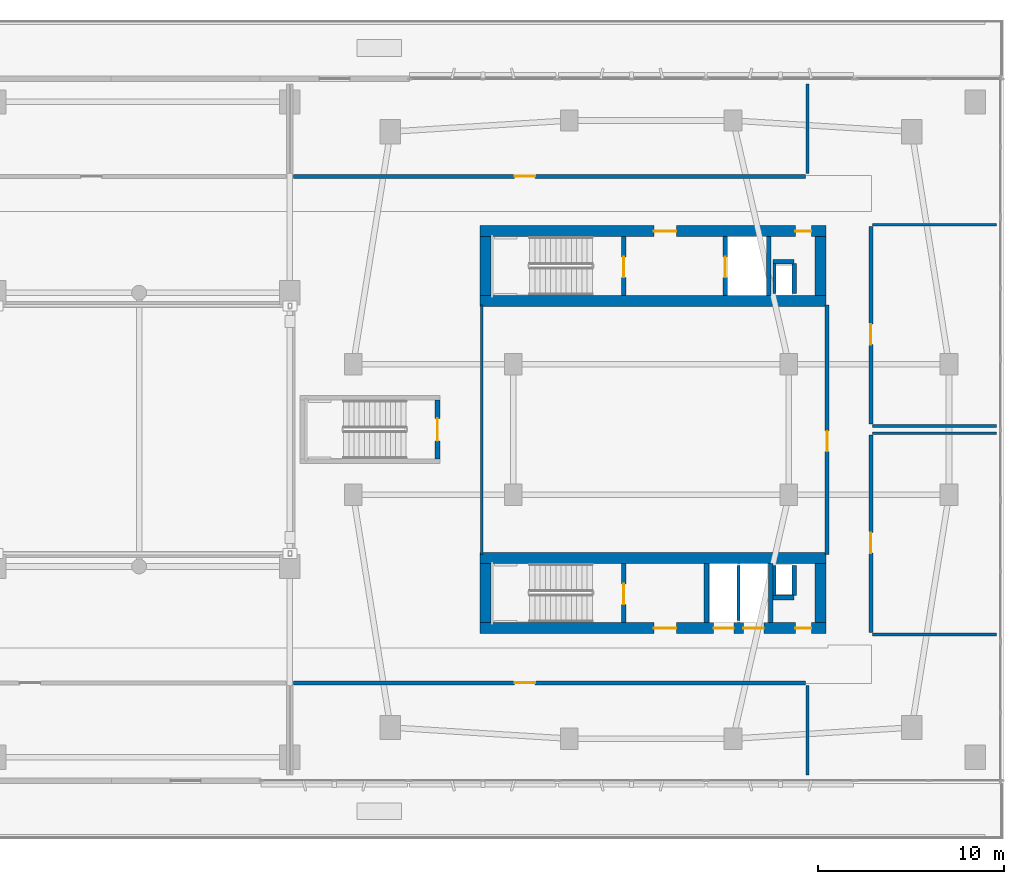
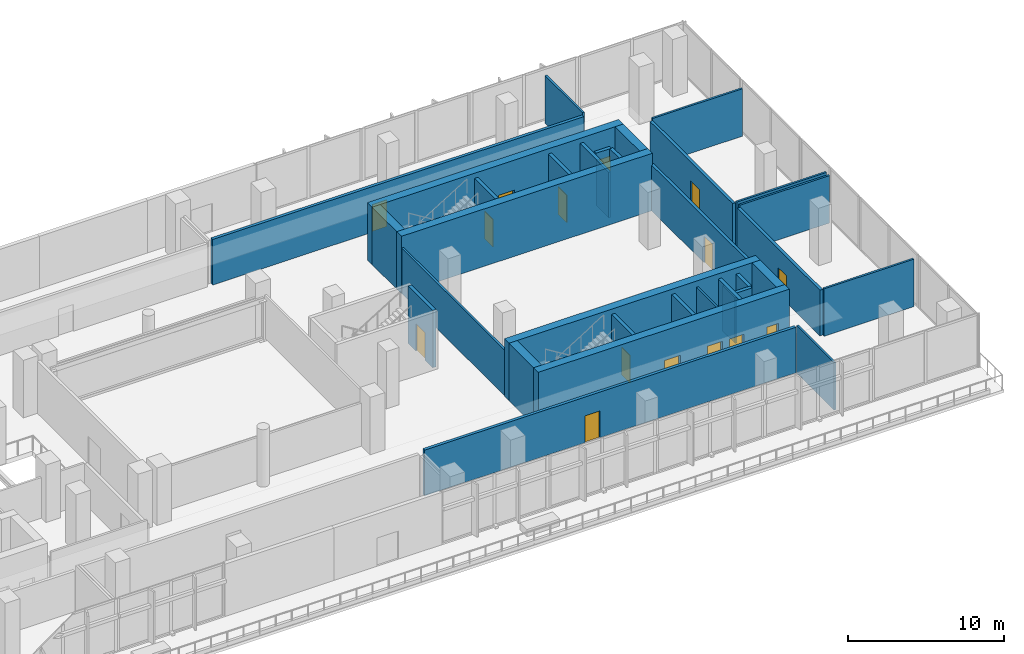
# One storey, part 17 of 31: 34 walls, 15 doors, 15 openings.
"""IFC4 building model written with IfcOpenShell, lengths in metres."""

from ifc_helpers import new_model, si_unit, derived_unit, direction, frame, frame_2d, origin, place, context, subcontext, project, spatial, rectangle, extrude, material, layer, layer_set, type_object, element, fill, save


model = new_model("IFC4")

# Units and contexts
model_context = context("Model", 3, precision=1e-05, world=origin(), true_north=direction((0.0, 1.0)))
body_context = subcontext(model_context, "Body", "Model", "MODEL_VIEW")
ifc_project = project(units=[si_unit("LENGTHUNIT", "METRE"), si_unit("AREAUNIT", "SQUARE_METRE"), si_unit("VOLUMEUNIT", "CUBIC_METRE"), si_unit("PLANEANGLEUNIT", "RADIAN"), si_unit("MASSUNIT", "GRAM", prefix="KILO"), derived_unit("THERMALTRANSMITTANCEUNIT", [(si_unit("POWERUNIT", "WATT"), 1), (si_unit("LENGTHUNIT", "METRE"), -2), (si_unit("THERMODYNAMICTEMPERATUREUNIT", "KELVIN"), -1)])], contexts=[model_context])

# Site, building, storey
site_placement = place(None, origin())
site = spatial("IfcSite", under=ifc_project, at=site_placement, CompositionType="ELEMENT")
building_placement = place(site_placement, origin())
building = spatial("IfcBuilding", under=site, at=building_placement, Name="Kivonza Crest Hotel", CompositionType="ELEMENT")
storey_placement = place(building_placement, frame((0.0, 0.0, 15.0)))
storey = spatial("IfcBuildingStorey", under=building, at=storey_placement, Name="L03", CompositionType="ELEMENT", Elevation=15.0)

# Wall, opening, door
ifc_material_1 = material(Name="Autoclaved aerated concrete blockwork", Category="masonry")
ifc_layer_1 = layer(ifc_material_1, 0.219970703125)
ifc_layer_set_1 = layer_set([ifc_layer_1], Name="Autoclaved aerated concrete blockwork")
wall_type_1 = type_object("IfcWallType", Name="WL-ACOU-220", PredefinedType="SOLIDWALL", material=ifc_layer_set_1)
wall_1_placement = place(storey_placement, frame((57.800048828125, 11.39990234375, 0.0), z_axis=(0.0, 0.0, 1.0), x_axis=(1.0, 0.0, 0.0)))
wall_1 = element("IfcWall", 1, at=wall_1_placement, inside=storey, type_object=wall_type_1, Name="L03 interior partition WA-L03-BRK-LNG2-N", PredefinedType="SOLIDWALL", context=body_context, shape_type="SweptSolid", body=[
    extrude(rectangle(XDim=27.5, YDim=0.219970703125, at=frame_2d((13.75, 0.0))), origin(), (0.0, 0.0, 1.0), 3.574951171875),
])
opening_1_placement = place(wall_1_placement, frame((11.8701171875, 0.0, 0.0)))
opening_1 = element("IfcOpeningElement", 2, at=opening_1_placement, cuts=wall_1, Name="Opening DF-60M", PredefinedType="OPENING", context=body_context, shape_type="SweptSolid", body=[
    extrude(rectangle(XDim=1.10009765625, YDim=2.10009765625, at=frame_2d((0.550048828125, 1.050048828125))), frame((0.0, 0.1201171875, 0.0), z_axis=(0.0, -1.0, 0.0), x_axis=(1.0, 0.0, 0.0)), (0.0, 0.0, 1.0), 0.239990234375),
])
ifc_material_2 = material(Name="Hardwood timber oak", Category="wood")
door_type_1 = type_object("IfcDoorType", Name="DR-FD60-1100", OperationType="NOTDEFINED", PredefinedType="DOOR", material=ifc_material_2)
door_1_placement = place(opening_1_placement, frame((1.10009765625, 0.0, 0.0), z_axis=(0.0, 0.0, 1.0), x_axis=(-1.0, 0.0, 0.0)))
door_1 = element("IfcDoor", 3, at=door_1_placement, inside=storey, type_object=door_type_1, Name="L03 Conference Breakout East door", OperationType="SINGLE_SWING_LEFT", OverallHeight=2.10009765625, OverallWidth=1.10009765625, PredefinedType="DOOR", context=body_context, shape_type="SweptSolid", body=[
    extrude(rectangle(XDim=1.10009765625, YDim=2.10009765625, at=frame_2d((0.550048828125, 1.050048828125))), frame((0.0, 0.02490234375, 0.0), z_axis=(0.0, -1.0, 0.0), x_axis=(1.0, 0.0, 0.0)), (0.0, 0.0, 1.0), 0.050048828125),
])
fill(opening_1, door_1)

wall_2_placement = place(storey_placement, frame((86.449951171875, 18.300048828125, 0.0), z_axis=(0.0, 0.0, 1.0), x_axis=(0.0, 1.0, 0.0)))
wall_2 = element("IfcWall", 4, at=wall_2_placement, inside=storey, type_object=wall_type_1, Name="L03 interior partition WA-L03-RES-LIB-E", PredefinedType="SOLIDWALL", context=body_context, shape_type="SweptSolid", body=[
    extrude(rectangle(XDim=13.39990234375, YDim=0.219970703125, at=frame_2d((6.699951171875, 0.0))), origin(), (0.0, 0.0, 1.0), 3.574951171875),
])
opening_2_placement = place(wall_2_placement, frame((5.52490234375, 0.0, 0.0)))
opening_2 = element("IfcOpeningElement", 5, at=opening_2_placement, cuts=wall_2, Name="Opening DF-60M", PredefinedType="OPENING", context=body_context, shape_type="SweptSolid", body=[
    extrude(rectangle(XDim=1.10009765625, YDim=2.10009765625, at=frame_2d((0.550048828125, 1.050048828125))), frame((0.0, 0.1201171875, 0.0), z_axis=(0.0, -1.0, 0.0), x_axis=(1.0, 0.0, 0.0)), (0.0, 0.0, 1.0), 0.239990234375),
])
door_2_placement = place(opening_2_placement, origin())
door_2 = element("IfcDoor", 6, at=door_2_placement, inside=storey, type_object=door_type_1, Name="L03 Resident Library and Media Room door", OperationType="SINGLE_SWING_LEFT", OverallHeight=2.10009765625, OverallWidth=1.10009765625, PredefinedType="DOOR", context=body_context, shape_type="SweptSolid", body=[
    extrude(rectangle(XDim=1.10009765625, YDim=2.10009765625, at=frame_2d((0.550048828125, 1.050048828125))), frame((0.0, 0.02490234375, 0.0), z_axis=(0.0, -1.0, 0.0), x_axis=(1.0, 0.0, 0.0)), (0.0, 0.0, 1.0), 0.050048828125),
])
fill(opening_2, door_2)

wall_3_placement = place(storey_placement, frame((57.800048828125, 38.60009765625, 0.0), z_axis=(0.0, 0.0, 1.0), x_axis=(1.0, 0.0, 0.0)))
wall_3 = element("IfcWall", 7, at=wall_3_placement, inside=storey, type_object=wall_type_1, Name="L03 interior partition WA-L03-NTH-CNF2-S", PredefinedType="SOLIDWALL", context=body_context, shape_type="SweptSolid", body=[
    extrude(rectangle(XDim=27.5, YDim=0.219970703125, at=frame_2d((13.75, 0.0))), origin(), (0.0, 0.0, 1.0), 3.574951171875),
])
opening_3_placement = place(wall_3_placement, frame((11.8701171875, 0.0, 0.0)))
opening_3 = element("IfcOpeningElement", 8, at=opening_3_placement, cuts=wall_3, Name="Opening DF-60M", PredefinedType="OPENING", context=body_context, shape_type="SweptSolid", body=[
    extrude(rectangle(XDim=1.10009765625, YDim=2.10009765625, at=frame_2d((0.550048828125, 1.050048828125))), frame((0.0, 0.1201171875, 0.0), z_axis=(0.0, -1.0, 0.0), x_axis=(1.0, 0.0, 0.0)), (0.0, 0.0, 1.0), 0.239990234375),
])
door_3_placement = place(opening_3_placement, origin())
door_3 = element("IfcDoor", 9, at=door_3_placement, inside=storey, type_object=door_type_1, Name="L03 North Conference East door", OperationType="SINGLE_SWING_LEFT", OverallHeight=2.10009765625, OverallWidth=1.10009765625, PredefinedType="DOOR", context=body_context, shape_type="SweptSolid", body=[
    extrude(rectangle(XDim=1.10009765625, YDim=2.10009765625, at=frame_2d((0.550048828125, 1.050048828125))), frame((0.0, 0.02490234375, 0.0), z_axis=(0.0, -1.0, 0.0), x_axis=(1.0, 0.0, 0.0)), (0.0, 0.0, 1.0), 0.050048828125),
])
fill(opening_3, door_3)

wall_4_placement = place(storey_placement, frame((88.800048828125, 14.10009765625, 0.0), z_axis=(0.0, 0.0, 1.0), x_axis=(0.0, 1.0, 0.0)))
wall_4 = element("IfcWall", 10, at=wall_4_placement, inside=storey, type_object=wall_type_1, Name="L03 interior partition WA-L03-E-SEM3S-W", PredefinedType="SOLIDWALL", context=body_context, shape_type="SweptSolid", body=[
    extrude(rectangle(XDim=10.599853515625, YDim=0.219970703125, at=frame_2d((5.2998046875, 0.0))), origin(), (0.0, 0.0, 1.0), 3.574951171875),
])
opening_4_placement = place(wall_4_placement, frame((4.264892578125, 0.0, 0.0)))
opening_4 = element("IfcOpeningElement", 11, at=opening_4_placement, cuts=wall_4, Name="Opening DF-60M", PredefinedType="OPENING", context=body_context, shape_type="SweptSolid", body=[
    extrude(rectangle(XDim=1.10009765625, YDim=2.10009765625, at=frame_2d((0.550048828125, 1.050048828125))), frame((0.0, 0.1201171875, 0.0), z_axis=(0.0, -1.0, 0.0), x_axis=(1.0, 0.0, 0.0)), (0.0, 0.0, 1.0), 0.239990234375),
])
door_4_placement = place(opening_4_placement, frame((1.10009765625, 0.0, 0.0), z_axis=(0.0, 0.0, 1.0), x_axis=(-1.0, 0.0, 0.0)))
door_4 = element("IfcDoor", 12, at=door_4_placement, inside=storey, type_object=door_type_1, Name="L03 East Resident Study Salon door", OperationType="SINGLE_SWING_RIGHT", OverallHeight=2.10009765625, OverallWidth=1.10009765625, PredefinedType="DOOR", context=body_context, shape_type="SweptSolid", body=[
    extrude(rectangle(XDim=1.10009765625, YDim=2.10009765625, at=frame_2d((0.550048828125, 1.050048828125))), frame((0.0, 0.02490234375, 0.0), z_axis=(0.0, -1.0, 0.0), x_axis=(1.0, 0.0, 0.0)), (0.0, 0.0, 1.0), 0.050048828125),
])
fill(opening_4, door_4)

wall_5_placement = place(storey_placement, frame((88.800048828125, 25.300048828125, 0.0), z_axis=(0.0, 0.0, 1.0), x_axis=(0.0, 1.0, 0.0)))
wall_5 = element("IfcWall", 13, at=wall_5_placement, inside=storey, type_object=wall_type_1, Name="L03 interior partition WA-L03-E-SEM3N-W", PredefinedType="SOLIDWALL", context=body_context, shape_type="SweptSolid", body=[
    extrude(rectangle(XDim=10.599853515625, YDim=0.219970703125, at=frame_2d((5.2998046875, 0.0))), origin(), (0.0, 0.0, 1.0), 3.574951171875),
])
opening_5_placement = place(wall_5_placement, frame((4.264892578125, 0.0, 0.0)))
opening_5 = element("IfcOpeningElement", 14, at=opening_5_placement, cuts=wall_5, Name="Opening DF-60M", PredefinedType="OPENING", context=body_context, shape_type="SweptSolid", body=[
    extrude(rectangle(XDim=1.10009765625, YDim=2.10009765625, at=frame_2d((0.550048828125, 1.050048828125))), frame((0.0, 0.1201171875, 0.0), z_axis=(0.0, -1.0, 0.0), x_axis=(1.0, 0.0, 0.0)), (0.0, 0.0, 1.0), 0.239990234375),
])
door_5_placement = place(opening_5_placement, frame((1.10009765625, 0.0, 0.0), z_axis=(0.0, 0.0, 1.0), x_axis=(-1.0, 0.0, 0.0)))
door_5 = element("IfcDoor", 15, at=door_5_placement, inside=storey, type_object=door_type_1, Name="L03 East Resident Music Salon door", OperationType="SINGLE_SWING_LEFT", OverallHeight=2.10009765625, OverallWidth=1.10009765625, PredefinedType="DOOR", context=body_context, shape_type="SweptSolid", body=[
    extrude(rectangle(XDim=1.10009765625, YDim=2.10009765625, at=frame_2d((0.550048828125, 1.050048828125))), frame((0.0, 0.02490234375, 0.0), z_axis=(0.0, -1.0, 0.0), x_axis=(1.0, 0.0, 0.0)), (0.0, 0.0, 1.0), 0.050048828125),
])
fill(opening_5, door_5)

# Wall
ifc_material_3 = material(Name="Concrete C60/75", Category="concrete")
ifc_layer_2 = layer(ifc_material_3, 0.60009765625)
ifc_layer_set_2 = layer_set([ifc_layer_2], Name="Concrete C60/75")
wall_type_2 = type_object("IfcWallType", Name="WL-CORE-600", PredefinedType="SHEAR", material=ifc_layer_set_2)
wall_6_placement = place(storey_placement, frame((67.800048828125, 31.89990234375, 0.0), z_axis=(0.0, 0.0, 1.0), x_axis=(1.0, 0.0, 0.0)))
element("IfcWall", 16, at=wall_6_placement, inside=storey, type_object=wall_type_2, Name="Core wall T2-N South L03", PredefinedType="SHEAR", context=body_context, shape_type="SweptSolid", body=[
    extrude(rectangle(XDim=18.599853515625, YDim=0.60009765625, at=frame_2d((9.2998046875, 0.0))), origin(), (0.0, 0.0, 1.0), 4.5),
])

# Wall, openings, doors
wall_7_placement = place(storey_placement, frame((67.800048828125, 35.659912109375, 0.0), z_axis=(0.0, 0.0, 1.0), x_axis=(1.0, 0.0, 0.0)))
wall_7 = element("IfcWall", 17, at=wall_7_placement, inside=storey, type_object=wall_type_2, Name="Core wall T2-N North L03", PredefinedType="SHEAR", context=body_context, shape_type="SweptSolid", body=[
    extrude(rectangle(XDim=18.599853515625, YDim=0.60009765625, at=frame_2d((9.2998046875, 0.0))), origin(), (0.0, 0.0, 1.0), 4.5),
])
opening_6_placement = place(wall_7_placement, frame((9.35009765625, 0.0, 0.0)))
opening_6 = element("IfcOpeningElement", 18, at=opening_6_placement, cuts=wall_7, Name="Opening DF-60", PredefinedType="OPENING", context=body_context, shape_type="SweptSolid", body=[
    extrude(rectangle(XDim=1.199951171875, YDim=2.14990234375, at=frame_2d((0.60009765625, 1.074951171875))), frame((0.0, 0.31005859375, 0.0), z_axis=(0.0, -1.0, 0.0), x_axis=(1.0, 0.0, 0.0)), (0.0, 0.0, 1.0), 0.6201171875),
])
opening_7_placement = place(wall_7_placement, frame((16.949951171875, 0.0, 0.0)))
opening_7 = element("IfcOpeningElement", 19, at=opening_7_placement, cuts=wall_7, Name="Opening DF-60R", PredefinedType="OPENING", context=body_context, shape_type="SweptSolid", body=[
    extrude(rectangle(XDim=0.85009765625, YDim=2.10009765625, at=frame_2d((0.425048828125, 1.050048828125))), frame((0.0, 0.31005859375, 0.0), z_axis=(0.0, -1.0, 0.0), x_axis=(1.0, 0.0, 0.0)), (0.0, 0.0, 1.0), 0.6201171875),
])
door_type_2 = type_object("IfcDoorType", Name="DR-FD60-1200", OperationType="NOTDEFINED", PredefinedType="DOOR", material=ifc_material_2)
door_6_placement = place(opening_6_placement, origin())
door_6 = element("IfcDoor", 20, at=door_6_placement, inside=storey, type_object=door_type_2, Name="L03 T2-N firefighting lobby fire door", OperationType="SINGLE_SWING_RIGHT", OverallHeight=2.14990234375, OverallWidth=1.199951171875, PredefinedType="DOOR", context=body_context, shape_type="SweptSolid", body=[
    extrude(rectangle(XDim=1.199951171875, YDim=2.14990234375, at=frame_2d((0.60009765625, 1.074951171875))), frame((0.0, 0.02490234375, 0.0), z_axis=(0.0, -1.0, 0.0), x_axis=(1.0, 0.0, 0.0)), (0.0, 0.0, 1.0), 0.050048828125),
])
fill(opening_6, door_6)
door_type_3 = type_object("IfcDoorType", Name="DR-FD60-850", OperationType="NOTDEFINED", PredefinedType="DOOR", material=ifc_material_2)
door_7_placement = place(opening_7_placement, origin())
door_7 = element("IfcDoor", 21, at=door_7_placement, inside=storey, type_object=door_type_3, Name="L03 T2-N core room door", OperationType="SINGLE_SWING_RIGHT", OverallHeight=2.10009765625, OverallWidth=0.85009765625, PredefinedType="DOOR", context=body_context, shape_type="SweptSolid", body=[
    extrude(rectangle(XDim=0.85009765625, YDim=2.10009765625, at=frame_2d((0.425048828125, 1.050048828125))), frame((0.0, 0.02490234375, 0.0), z_axis=(0.0, -1.0, 0.0), x_axis=(1.0, 0.0, 0.0)), (0.0, 0.0, 1.0), 0.050048828125),
])
fill(opening_7, door_7)

# Walls
for number, where, z_axis, x_axis, name in (
    (22, (68.10009765625, 32.199951171875, 0.0), (0.0, 0.0, 1.0), (0.0, 1.0, 0.0), "Core wall T2-N West L03"),
    (23, (86.10009765625, 32.199951171875, 0.0), (0.0, 0.0, 1.0), (0.0, 1.0, 0.0), "Core wall T2-N East L03"),
):
    element("IfcWall", number, at=place(storey_placement, frame(where, z_axis=z_axis, x_axis=x_axis)), inside=storey, type_object=wall_type_2, Name=name, PredefinedType="SHEAR", context=body_context, shape_type="SweptSolid", body=[
        extrude(rectangle(XDim=3.16015625, YDim=0.60009765625, at=frame_2d((1.580078125, 0.0))), origin(), (0.0, 0.0, 1.0), 4.5),
    ])

# Wall, openings, doors
wall_8_placement = place(storey_placement, frame((67.800048828125, 14.340087890625, 0.0), z_axis=(0.0, 0.0, 1.0), x_axis=(1.0, 0.0, 0.0)))
wall_8 = element("IfcWall", 24, at=wall_8_placement, inside=storey, type_object=wall_type_2, Name="Core wall T2-S South L03", PredefinedType="SHEAR", context=body_context, shape_type="SweptSolid", body=[
    extrude(rectangle(XDim=18.599853515625, YDim=0.60009765625, at=frame_2d((9.2998046875, 0.0))), origin(), (0.0, 0.0, 1.0), 4.5),
])
opening_8_placement = place(wall_8_placement, frame((9.35009765625, 0.0, 0.0)))
opening_8 = element("IfcOpeningElement", 25, at=opening_8_placement, cuts=wall_8, Name="Opening DF-60", PredefinedType="OPENING", context=body_context, shape_type="SweptSolid", body=[
    extrude(rectangle(XDim=1.199951171875, YDim=2.14990234375, at=frame_2d((0.60009765625, 1.074951171875))), frame((0.0, 0.31005859375, 0.0), z_axis=(0.0, -1.0, 0.0), x_axis=(1.0, 0.0, 0.0)), (0.0, 0.0, 1.0), 0.6201171875),
])
opening_9_placement = place(wall_8_placement, frame((16.949951171875, 0.0, 0.0)))
opening_9 = element("IfcOpeningElement", 26, at=opening_9_placement, cuts=wall_8, Name="Opening DF-60R", PredefinedType="OPENING", context=body_context, shape_type="SweptSolid", body=[
    extrude(rectangle(XDim=0.85009765625, YDim=2.10009765625, at=frame_2d((0.425048828125, 1.050048828125))), frame((0.0, 0.31005859375, 0.0), z_axis=(0.0, -1.0, 0.0), x_axis=(1.0, 0.0, 0.0)), (0.0, 0.0, 1.0), 0.6201171875),
])
opening_10_placement = place(wall_8_placement, frame((12.550048828125, 0.0, 0.0)))
opening_10 = element("IfcOpeningElement", 27, at=opening_10_placement, cuts=wall_8, Name="Opening LD-120", PredefinedType="OPENING", context=body_context, shape_type="SweptSolid", body=[
    extrude(rectangle(XDim=1.10009765625, YDim=2.14990234375, at=frame_2d((0.550048828125, 1.074951171875))), frame((0.0, 0.31005859375, 0.0), z_axis=(0.0, -1.0, 0.0), x_axis=(1.0, 0.0, 0.0)), (0.0, 0.0, 1.0), 0.6201171875),
])
opening_11_placement = place(wall_8_placement, frame((14.14990234375, 0.0, 0.0)))
opening_11 = element("IfcOpeningElement", 28, at=opening_11_placement, cuts=wall_8, Name="Opening LD-120", PredefinedType="OPENING", context=body_context, shape_type="SweptSolid", body=[
    extrude(rectangle(XDim=1.10009765625, YDim=2.14990234375, at=frame_2d((0.550048828125, 1.074951171875))), frame((0.0, 0.31005859375, 0.0), z_axis=(0.0, -1.0, 0.0), x_axis=(1.0, 0.0, 0.0)), (0.0, 0.0, 1.0), 0.6201171875),
])
door_8_placement = place(opening_8_placement, frame((1.199951171875, 0.0, 0.0), z_axis=(0.0, 0.0, 1.0), x_axis=(-1.0, 0.0, 0.0)))
door_8 = element("IfcDoor", 29, at=door_8_placement, inside=storey, type_object=door_type_2, Name="L03 T2-S firefighting lobby fire door", OperationType="SINGLE_SWING_LEFT", OverallHeight=2.14990234375, OverallWidth=1.199951171875, PredefinedType="DOOR", context=body_context, shape_type="SweptSolid", body=[
    extrude(rectangle(XDim=1.199951171875, YDim=2.14990234375, at=frame_2d((0.60009765625, 1.074951171875))), frame((0.0, 0.02490234375, 0.0), z_axis=(0.0, -1.0, 0.0), x_axis=(1.0, 0.0, 0.0)), (0.0, 0.0, 1.0), 0.050048828125),
])
fill(opening_8, door_8)
door_9_placement = place(opening_9_placement, frame((0.85009765625, 0.0, 0.0), z_axis=(0.0, 0.0, 1.0), x_axis=(-1.0, 0.0, 0.0)))
door_9 = element("IfcDoor", 30, at=door_9_placement, inside=storey, type_object=door_type_3, Name="L03 T2-S core room door", OperationType="SINGLE_SWING_RIGHT", OverallHeight=2.10009765625, OverallWidth=0.85009765625, PredefinedType="DOOR", context=body_context, shape_type="SweptSolid", body=[
    extrude(rectangle(XDim=0.85009765625, YDim=2.10009765625, at=frame_2d((0.425048828125, 1.050048828125))), frame((0.0, 0.02490234375, 0.0), z_axis=(0.0, -1.0, 0.0), x_axis=(1.0, 0.0, 0.0)), (0.0, 0.0, 1.0), 0.050048828125),
])
fill(opening_9, door_9)
ifc_material_4 = material(Name="Stainless steel", Category="steel")
door_type_4 = type_object("IfcDoorType", Name="DR-LD120-1100", OperationType="NOTDEFINED", PredefinedType="DOOR", material=ifc_material_4)
door_10_placement = place(opening_10_placement, frame((1.10009765625, 0.0, 0.0), z_axis=(0.0, 0.0, 1.0), x_axis=(-1.0, 0.0, 0.0)))
door_10 = element("IfcDoor", 31, at=door_10_placement, inside=storey, type_object=door_type_4, Name="L03 PL-T2-1 passenger lift sliding landing door", OperationType="DOUBLE_DOOR_SLIDING", OverallHeight=2.14990234375, OverallWidth=1.10009765625, PredefinedType="DOOR", context=body_context, shape_type="SweptSolid", body=[
    extrude(rectangle(XDim=1.10009765625, YDim=2.14990234375, at=frame_2d((0.550048828125, 1.074951171875))), frame((0.0, 0.02490234375, 0.0), z_axis=(0.0, -1.0, 0.0), x_axis=(1.0, 0.0, 0.0)), (0.0, 0.0, 1.0), 0.050048828125),
])
fill(opening_10, door_10)
door_11_placement = place(opening_11_placement, frame((1.10009765625, 0.0, 0.0), z_axis=(0.0, 0.0, 1.0), x_axis=(-1.0, 0.0, 0.0)))
door_11 = element("IfcDoor", 32, at=door_11_placement, inside=storey, type_object=door_type_4, Name="L03 PL-T2-2 passenger lift sliding landing door", OperationType="DOUBLE_DOOR_SLIDING", OverallHeight=2.14990234375, OverallWidth=1.10009765625, PredefinedType="DOOR", context=body_context, shape_type="SweptSolid", body=[
    extrude(rectangle(XDim=1.10009765625, YDim=2.14990234375, at=frame_2d((0.550048828125, 1.074951171875))), frame((0.0, 0.02490234375, 0.0), z_axis=(0.0, -1.0, 0.0), x_axis=(1.0, 0.0, 0.0)), (0.0, 0.0, 1.0), 0.050048828125),
])
fill(opening_11, door_11)

# Walls
wall_9_placement = place(storey_placement, frame((67.800048828125, 18.10009765625, 0.0), z_axis=(0.0, 0.0, 1.0), x_axis=(1.0, 0.0, 0.0)))
element("IfcWall", 33, at=wall_9_placement, inside=storey, type_object=wall_type_2, Name="Core wall T2-S North L03", PredefinedType="SHEAR", context=body_context, shape_type="SweptSolid", body=[
    extrude(rectangle(XDim=18.599853515625, YDim=0.60009765625, at=frame_2d((9.2998046875, 0.0))), origin(), (0.0, 0.0, 1.0), 4.5),
])
for number, where, z_axis, x_axis, name in (
    (34, (68.10009765625, 14.639892578125, 0.0), (0.0, 0.0, 1.0), (0.0, 1.0, 0.0), "Core wall T2-S West L03"),
    (35, (86.10009765625, 14.639892578125, 0.0), (0.0, 0.0, 1.0), (0.0, 1.0, 0.0), "Core wall T2-S East L03"),
):
    element("IfcWall", number, at=place(storey_placement, frame(where, z_axis=z_axis, x_axis=x_axis)), inside=storey, type_object=wall_type_2, Name=name, PredefinedType="SHEAR", context=body_context, shape_type="SweptSolid", body=[
        extrude(rectangle(XDim=3.16015625, YDim=0.60009765625, at=frame_2d((1.580078125, 0.0))), origin(), (0.0, 0.0, 1.0), 4.5),
    ])
ifc_material_5 = material(Name="Concrete blockwork fire-compartment wall", Category="masonry")
ifc_layer_3 = layer(ifc_material_5, 0.25)
ifc_layer_set_3 = layer_set([ifc_layer_3], Name="Concrete blockwork fire-compartment wall")
wall_type_3 = type_object("IfcWallType", Name="WL-FIRE-250", PredefinedType="SOLIDWALL", material=ifc_layer_set_3)
wall_10_placement = place(storey_placement, frame((84.679931640625, 32.300048828125, 0.0), z_axis=(0.0, 0.0, 1.0), x_axis=(0.0, 1.0, 0.0)))
element("IfcWall", 36, at=wall_10_placement, inside=storey, type_object=wall_type_3, Name="L03 interior partition WA-L03-T2-N-MEPR-E", PredefinedType="SOLIDWALL", context=body_context, shape_type="SweptSolid", body=[
    extrude(rectangle(XDim=1.619873046875, YDim=0.25, at=frame_2d((0.81005859375, 0.0))), origin(), (0.0, 0.0, 1.0), 4.10009765625),
])
wall_11_placement = place(storey_placement, frame((83.550048828125, 34.02001953125, 0.0), z_axis=(0.0, 0.0, 1.0), x_axis=(1.0, 0.0, 0.0)))
element("IfcWall", 37, at=wall_11_placement, inside=storey, type_object=wall_type_3, Name="L03 interior partition WA-L03-T2-N-MEPR-H", PredefinedType="SOLIDWALL", context=body_context, shape_type="SweptSolid", body=[
    extrude(rectangle(XDim=1.1298828125, YDim=0.25, at=frame_2d((0.56494140625, 0.0))), origin(), (0.0, 0.0, 1.0), 4.10009765625),
])
wall_12_placement = place(storey_placement, frame((84.679931640625, 16.080078125, 0.0), z_axis=(0.0, 0.0, 1.0), x_axis=(0.0, 1.0, 0.0)))
element("IfcWall", 38, at=wall_12_placement, inside=storey, type_object=wall_type_3, Name="L03 interior partition WA-L03-T2-S-MEPR-E", PredefinedType="SOLIDWALL", context=body_context, shape_type="SweptSolid", body=[
    extrude(rectangle(XDim=1.619873046875, YDim=0.25, at=frame_2d((0.81005859375, 0.0))), origin(), (0.0, 0.0, 1.0), 4.10009765625),
])
wall_13_placement = place(storey_placement, frame((83.550048828125, 15.97998046875, 0.0), z_axis=(0.0, 0.0, 1.0), x_axis=(1.0, 0.0, 0.0)))
element("IfcWall", 39, at=wall_13_placement, inside=storey, type_object=wall_type_3, Name="L03 interior partition WA-L03-T2-S-MEPR-H", PredefinedType="SOLIDWALL", context=body_context, shape_type="SweptSolid", body=[
    extrude(rectangle(XDim=1.1298828125, YDim=0.25, at=frame_2d((0.56494140625, 0.0))), origin(), (0.0, 0.0, 1.0), 4.10009765625),
])
ifc_material_6 = material(Name="Twin-stud acoustic gypsum board partition", Category="gypsum")
ifc_layer_4 = layer(ifc_material_6, 0.14990234375)
ifc_layer_set_4 = layer_set([ifc_layer_4], Name="Twin-stud acoustic gypsum board partition")
wall_type_4 = type_object("IfcWallType", Name="WL-PART-150", PredefinedType="PARTITIONING", material=ifc_layer_set_4)
for number, where, z_axis, x_axis, name in (
    (40, (83.6298828125, 32.300048828125, 0.0), (0.0, 0.0, 1.0), (0.0, 1.0, 0.0), "L03 interior partition WA-L03-T2-N-MEPR-W"),
    (41, (83.6298828125, 16.080078125, 0.0), (0.0, 0.0, 1.0), (0.0, 1.0, 0.0), "L03 interior partition WA-L03-T2-S-MEPR-W"),
):
    element("IfcWall", number, at=place(storey_placement, frame(where, z_axis=z_axis, x_axis=x_axis)), inside=storey, type_object=wall_type_4, Name=name, PredefinedType="PARTITIONING", context=body_context, shape_type="SweptSolid", body=[
        extrude(rectangle(XDim=1.619873046875, YDim=0.14990234375, at=frame_2d((0.81005859375, 0.0))), origin(), (0.0, 0.0, 1.0), 3.574951171875),
    ])
wall_14_placement = place(storey_placement, frame((81.699951171875, 14.739990234375, 0.0), z_axis=(0.0, 0.0, 1.0), x_axis=(0.0, 1.0, 0.0)))
element("IfcWall", 42, at=wall_14_placement, inside=storey, type_object=wall_type_4, Name="L03 interior partition WP-L03-T2-S-BSH-1", PredefinedType="PARTITIONING", context=body_context, shape_type="SweptSolid", body=[
    extrude(rectangle(XDim=2.9599609375, YDim=0.14990234375, at=frame_2d((1.47998046875, 0.0))), origin(), (0.0, 0.0, 1.0), 4.10009765625),
])
wall_15_placement = place(storey_placement, frame((85.39990234375, 6.449951171875, 0.0), z_axis=(0.0, 0.0, 1.0), x_axis=(0.0, 1.0, 0.0)))
element("IfcWall", 43, at=wall_15_placement, inside=storey, type_object=wall_type_4, Name="L03 interior partition WP-L03-BRK-LNG2-BE", PredefinedType="PARTITIONING", context=body_context, shape_type="SweptSolid", body=[
    extrude(rectangle(XDim=4.800048828125, YDim=0.14990234375, at=frame_2d((2.39990234375, 0.0))), origin(), (0.0, 0.0, 1.0), 3.715087890625),
])
wall_16_placement = place(storey_placement, frame((67.89990234375, 18.300048828125, 0.0), z_axis=(0.0, 0.0, 1.0), x_axis=(0.0, 1.0, 0.0)))
element("IfcWall", 44, at=wall_16_placement, inside=storey, type_object=wall_type_4, Name="L03 interior partition WP-L03-RES-LIB-BW", PredefinedType="PARTITIONING", context=body_context, shape_type="SweptSolid", body=[
    extrude(rectangle(XDim=13.39990234375, YDim=0.14990234375, at=frame_2d((6.699951171875, 0.0))), origin(), (0.0, 0.0, 1.0), 3.574951171875),
])
wall_17_placement = place(storey_placement, frame((85.39990234375, 38.75, 0.0), z_axis=(0.0, 0.0, 1.0), x_axis=(0.0, 1.0, 0.0)))
element("IfcWall", 45, at=wall_17_placement, inside=storey, type_object=wall_type_4, Name="L03 interior partition WP-L03-NTH-CNF2-BE", PredefinedType="PARTITIONING", context=body_context, shape_type="SweptSolid", body=[
    extrude(rectangle(XDim=4.800048828125, YDim=0.14990234375, at=frame_2d((2.39990234375, 0.0))), origin(), (0.0, 0.0, 1.0), 3.715087890625),
])
for number, where, z_axis, x_axis, name in (
    (46, (88.89990234375, 14.0, 0.0), (0.0, 0.0, 1.0), (1.0, 0.0, 0.0), "L03 interior partition WP-L03-E-SEM3S-BS"),
    (47, (88.89990234375, 24.800048828125, 0.0), (0.0, 0.0, 1.0), (1.0, 0.0, 0.0), "L03 interior partition WP-L03-E-SEM3S-BN"),
    (48, (88.89990234375, 25.199951171875, 0.0), (0.0, 0.0, 1.0), (1.0, 0.0, 0.0), "L03 interior partition WP-L03-E-SEM3N-BS"),
    (49, (88.89990234375, 36.0, 0.0), (0.0, 0.0, 1.0), (1.0, 0.0, 0.0), "L03 interior partition WP-L03-E-SEM3N-BN"),
):
    element("IfcWall", number, at=place(storey_placement, frame(where, z_axis=z_axis, x_axis=x_axis)), inside=storey, type_object=wall_type_4, Name=name, PredefinedType="PARTITIONING", context=body_context, shape_type="SweptSolid", body=[
        extrude(rectangle(XDim=6.650146484375, YDim=0.14990234375, at=frame_2d((3.3251953125, 0.0))), origin(), (0.0, 0.0, 1.0), 3.715087890625),
    ])

# Wall, opening, door
ifc_material_7 = material(Name="Concrete C50/60", Category="concrete")
ifc_layer_5 = layer(ifc_material_7, 0.25)
ifc_layer_set_5 = layer_set([ifc_layer_5], Name="Concrete C50/60")
wall_type_5 = type_object("IfcWallType", Name="WL-SHAFT-250", PredefinedType="STANDARD", material=ifc_layer_set_5)
wall_18_placement = place(storey_placement, frame((75.52490234375, 32.199951171875, 0.0), z_axis=(0.0, 0.0, 1.0), x_axis=(0.0, 1.0, 0.0)))
wall_18 = element("IfcWall", 50, at=wall_18_placement, inside=storey, type_object=wall_type_5, Name="Core shaft wall T2-N STAIR L03", PredefinedType="STANDARD", context=body_context, shape_type="SweptSolid", body=[
    extrude(rectangle(XDim=3.16015625, YDim=0.25, at=frame_2d((1.580078125, 0.0))), origin(), (0.0, 0.0, 1.0), 4.10009765625),
])
opening_12_placement = place(wall_18_placement, frame((0.97998046875, 0.0, 0.0)))
opening_12 = element("IfcOpeningElement", 51, at=opening_12_placement, cuts=wall_18, Name="Opening DF-120", PredefinedType="OPENING", context=body_context, shape_type="SweptSolid", body=[
    extrude(rectangle(XDim=1.10009765625, YDim=2.14990234375, at=frame_2d((0.550048828125, 1.074951171875))), frame((0.0, 0.135009765625, 0.0), z_axis=(0.0, -1.0, 0.0), x_axis=(1.0, 0.0, 0.0)), (0.0, 0.0, 1.0), 0.27001953125),
])
ifc_material_8 = material(Name="Galvanised steel", Category="steel")
door_type_5 = type_object("IfcDoorType", Name="DR-FD120-1100", OperationType="NOTDEFINED", PredefinedType="DOOR", material=ifc_material_8)
door_12_placement = place(opening_12_placement, frame((1.10009765625, 0.0, 0.0), z_axis=(0.0, 0.0, 1.0), x_axis=(-1.0, 0.0, 0.0)))
door_12 = element("IfcDoor", 52, at=door_12_placement, inside=storey, type_object=door_type_5, Name="L03 T2-N stair fire door", OperationType="SINGLE_SWING_LEFT", OverallHeight=2.14990234375, OverallWidth=1.10009765625, PredefinedType="DOOR", context=body_context, shape_type="SweptSolid", body=[
    extrude(rectangle(XDim=1.10009765625, YDim=2.14990234375, at=frame_2d((0.550048828125, 1.074951171875))), frame((0.0, 0.02490234375, 0.0), z_axis=(0.0, -1.0, 0.0), x_axis=(1.0, 0.0, 0.0)), (0.0, 0.0, 1.0), 0.050048828125),
])
fill(opening_12, door_12)

wall_19_placement = place(storey_placement, frame((80.97509765625, 32.199951171875, 0.0), z_axis=(0.0, 0.0, 1.0), x_axis=(0.0, 1.0, 0.0)))
wall_19 = element("IfcWall", 53, at=wall_19_placement, inside=storey, type_object=wall_type_5, Name="Core shaft wall T2-N FFL-W L03", PredefinedType="STANDARD", context=body_context, shape_type="SweptSolid", body=[
    extrude(rectangle(XDim=3.16015625, YDim=0.25, at=frame_2d((1.580078125, 0.0))), origin(), (0.0, 0.0, 1.0), 4.10009765625),
])
opening_13_placement = place(wall_19_placement, frame((0.97998046875, 0.0, 0.0)))
opening_13 = element("IfcOpeningElement", 54, at=opening_13_placement, cuts=wall_19, Name="Opening LD-120", PredefinedType="OPENING", context=body_context, shape_type="SweptSolid", body=[
    extrude(rectangle(XDim=1.10009765625, YDim=2.14990234375, at=frame_2d((0.550048828125, 1.074951171875))), frame((0.0, 0.135009765625, 0.0), z_axis=(0.0, -1.0, 0.0), x_axis=(1.0, 0.0, 0.0)), (0.0, 0.0, 1.0), 0.27001953125),
])
door_13_placement = place(opening_13_placement, origin())
door_13 = element("IfcDoor", 55, at=door_13_placement, inside=storey, type_object=door_type_4, Name="L03 FFL-T2 firefighting lift sliding landing door", OperationType="DOUBLE_DOOR_SLIDING", OverallHeight=2.14990234375, OverallWidth=1.10009765625, PredefinedType="DOOR", context=body_context, shape_type="SweptSolid", body=[
    extrude(rectangle(XDim=1.10009765625, YDim=2.14990234375, at=frame_2d((0.550048828125, 1.074951171875))), frame((0.0, 0.02490234375, 0.0), z_axis=(0.0, -1.0, 0.0), x_axis=(1.0, 0.0, 0.0)), (0.0, 0.0, 1.0), 0.050048828125),
])
fill(opening_13, door_13)

# Wall
wall_20_placement = place(storey_placement, frame((83.324951171875, 32.199951171875, 0.0), z_axis=(0.0, 0.0, 1.0), x_axis=(0.0, 1.0, 0.0)))
element("IfcWall", 56, at=wall_20_placement, inside=storey, type_object=wall_type_5, Name="Core shaft wall T2-N FFL-E L03", PredefinedType="STANDARD", context=body_context, shape_type="SweptSolid", body=[
    extrude(rectangle(XDim=3.16015625, YDim=0.25, at=frame_2d((1.580078125, 0.0))), origin(), (0.0, 0.0, 1.0), 4.10009765625),
])

# Wall, opening, door
wall_21_placement = place(storey_placement, frame((75.52490234375, 14.639892578125, 0.0), z_axis=(0.0, 0.0, 1.0), x_axis=(0.0, 1.0, 0.0)))
wall_21 = element("IfcWall", 57, at=wall_21_placement, inside=storey, type_object=wall_type_5, Name="Core shaft wall T2-S STAIR L03", PredefinedType="STANDARD", context=body_context, shape_type="SweptSolid", body=[
    extrude(rectangle(XDim=3.16015625, YDim=0.25, at=frame_2d((1.580078125, 0.0))), origin(), (0.0, 0.0, 1.0), 4.10009765625),
])
opening_14_placement = place(wall_21_placement, frame((0.97998046875, 0.0, 0.0)))
opening_14 = element("IfcOpeningElement", 58, at=opening_14_placement, cuts=wall_21, Name="Opening DF-120", PredefinedType="OPENING", context=body_context, shape_type="SweptSolid", body=[
    extrude(rectangle(XDim=1.10009765625, YDim=2.14990234375, at=frame_2d((0.550048828125, 1.074951171875))), frame((0.0, 0.135009765625, 0.0), z_axis=(0.0, -1.0, 0.0), x_axis=(1.0, 0.0, 0.0)), (0.0, 0.0, 1.0), 0.27001953125),
])
door_14_placement = place(opening_14_placement, frame((1.10009765625, 0.0, 0.0), z_axis=(0.0, 0.0, 1.0), x_axis=(-1.0, 0.0, 0.0)))
door_14 = element("IfcDoor", 59, at=door_14_placement, inside=storey, type_object=door_type_5, Name="L03 T2-S stair fire door", OperationType="SINGLE_SWING_RIGHT", OverallHeight=2.14990234375, OverallWidth=1.10009765625, PredefinedType="DOOR", context=body_context, shape_type="SweptSolid", body=[
    extrude(rectangle(XDim=1.10009765625, YDim=2.14990234375, at=frame_2d((0.550048828125, 1.074951171875))), frame((0.0, 0.02490234375, 0.0), z_axis=(0.0, -1.0, 0.0), x_axis=(1.0, 0.0, 0.0)), (0.0, 0.0, 1.0), 0.050048828125),
])
fill(opening_14, door_14)

# Walls
for number, where, z_axis, x_axis, name in (
    (60, (79.97509765625, 14.639892578125, 0.0), (0.0, 0.0, 1.0), (0.0, 1.0, 0.0), "Core shaft wall T2-S BANK-W L03"),
    (61, (83.425048828125, 14.639892578125, 0.0), (0.0, 0.0, 1.0), (0.0, 1.0, 0.0), "Core shaft wall T2-S BANK-E L03"),
):
    element("IfcWall", number, at=place(storey_placement, frame(where, z_axis=z_axis, x_axis=x_axis)), inside=storey, type_object=wall_type_5, Name=name, PredefinedType="STANDARD", context=body_context, shape_type="SweptSolid", body=[
        extrude(rectangle(XDim=3.16015625, YDim=0.25, at=frame_2d((1.580078125, 0.0))), origin(), (0.0, 0.0, 1.0), 4.10009765625),
    ])

# Wall, opening, door
wall_22_placement = place(storey_placement, frame((65.52490234375, 23.419921875, 0.0), z_axis=(0.0, 0.0, 1.0), x_axis=(0.0, 1.0, 0.0)))
wall_22 = element("IfcWall", 62, at=wall_22_placement, inside=storey, type_object=wall_type_5, Name="Podium stair enclosure wall ST-POD-E E L03", PredefinedType="STANDARD", context=body_context, shape_type="SweptSolid", body=[
    extrude(rectangle(XDim=3.16015625, YDim=0.25, at=frame_2d((1.580078125, 0.0))), origin(), (0.0, 0.0, 1.0), 4.5),
])
opening_15_placement = place(wall_22_placement, frame((0.97998046875, 0.0, 0.0)))
opening_15 = element("IfcOpeningElement", 63, at=opening_15_placement, cuts=wall_22, Name="Opening DF-120W", PredefinedType="OPENING", context=body_context, shape_type="SweptSolid", body=[
    extrude(rectangle(XDim=1.199951171875, YDim=2.14990234375, at=frame_2d((0.60009765625, 1.074951171875))), frame((0.0, 0.135009765625, 0.0), z_axis=(0.0, -1.0, 0.0), x_axis=(1.0, 0.0, 0.0)), (0.0, 0.0, 1.0), 0.27001953125),
])
door_type_6 = type_object("IfcDoorType", Name="DR-FD120-1200", OperationType="NOTDEFINED", PredefinedType="DOOR", material=ifc_material_8)
door_15_placement = place(opening_15_placement, frame((1.199951171875, 0.0, 0.0), z_axis=(0.0, 0.0, 1.0), x_axis=(-1.0, 0.0, 0.0)))
door_15 = element("IfcDoor", 64, at=door_15_placement, inside=storey, type_object=door_type_6, Name="L03 ST-POD-E podium stair fire door", OperationType="SINGLE_SWING_LEFT", OverallHeight=2.14990234375, OverallWidth=1.199951171875, PredefinedType="DOOR", context=body_context, shape_type="SweptSolid", body=[
    extrude(rectangle(XDim=1.199951171875, YDim=2.14990234375, at=frame_2d((0.60009765625, 1.074951171875))), frame((0.0, 0.02490234375, 0.0), z_axis=(0.0, -1.0, 0.0), x_axis=(1.0, 0.0, 0.0)), (0.0, 0.0, 1.0), 0.050048828125),
])
fill(opening_15, door_15)

save(model, "model.ifc")
